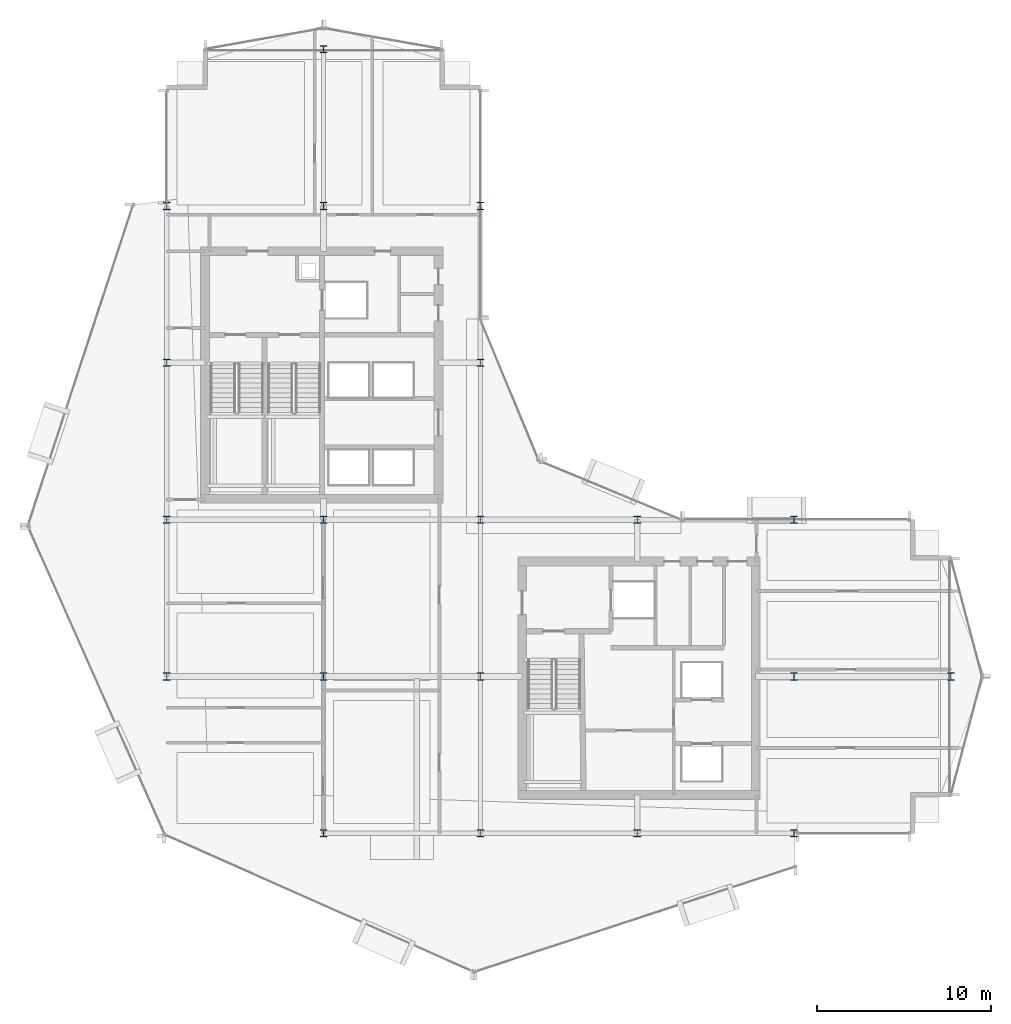
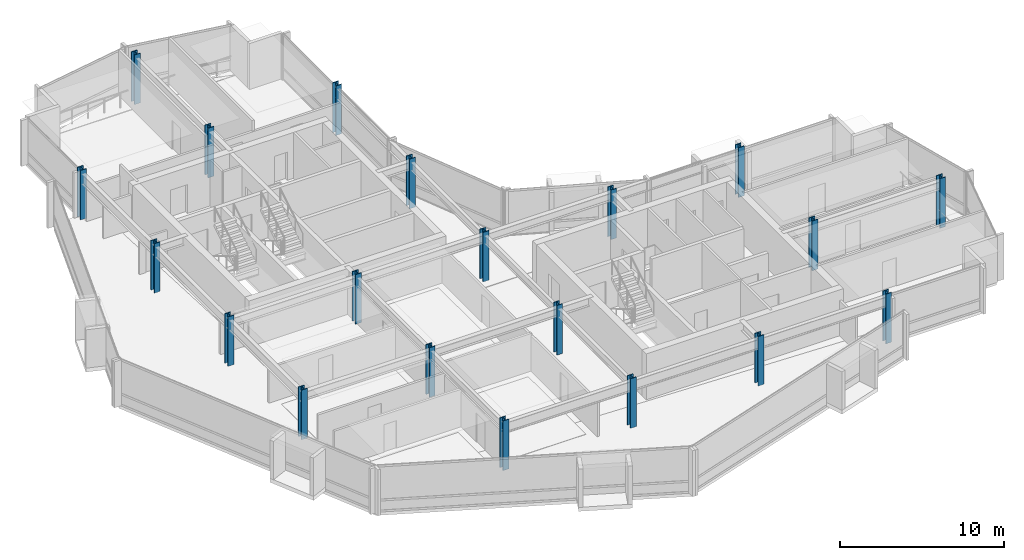
# One storey, part 1 of 29: 20 columns.
"""IFC4 building model written with IfcOpenShell, lengths in metres."""

from ifc_helpers import new_model, si_unit, direction, frame, origin, origin_2d, place, context, subcontext, project, spatial, i_section, extrude, material, material_profile, profile_set, type_object, element, save


model = new_model("IFC4")

# Units and contexts
model_context = context("Model", 3, precision=1e-05, world=origin(), true_north=direction((0.0, 1.0)))
body_context = subcontext(model_context, "Body", "Model", "MODEL_VIEW")
ifc_project = project(units=[si_unit("LENGTHUNIT", "METRE"), si_unit("AREAUNIT", "SQUARE_METRE"), si_unit("VOLUMEUNIT", "CUBIC_METRE"), si_unit("PLANEANGLEUNIT", "RADIAN"), si_unit("MASSUNIT", "GRAM", prefix="KILO")], contexts=[model_context])

# Site, building, storey
site_placement = place(None, origin())
site = spatial("IfcSite", under=ifc_project, at=site_placement, CompositionType="ELEMENT")
building_placement = place(site_placement, origin())
building = spatial("IfcBuilding", under=site, at=building_placement, Name="Solvaryn Broadcast Tower", CompositionType="ELEMENT")
storey_placement = place(building_placement, frame((0.0, 0.0, 139.60009765625)))
storey = spatial("IfcBuildingStorey", under=building, at=storey_placement, Name="L34", CompositionType="ELEMENT", Elevation=139.60009765625)

# Columns
ifc_material_1 = material(Name="Steel ASTM A913 Grade 65", Category="steel")
ifc_material_profile_1 = material_profile(ifc_material_1, i_section(OverallWidth=0.412109375, OverallDepth=0.43505859375, WebThickness=0.035888671875, FlangeThickness=0.057373046875, FilletRadius=0.014892578125, at=origin_2d()))
ifc_profile_set_1 = profile_set([ifc_material_profile_1], Name="Steel ASTM A913 Grade 65")
column_type_1 = type_object("IfcColumnType", Name="COL-C06E-W14X311", PredefinedType="COLUMN", material=ifc_profile_set_1)
for number, where, z_axis, x_axis, name in (
    (1, (9.0, 18.0, 0.0), (0.0, 0.0, 1.0), (1.0, 0.0, 0.0), "L34 Column (9.0, 18.0)"),
    (2, (9.0, 27.0, 0.0), (0.0, 0.0, 1.0), (1.0, 0.0, 0.0), "L34 Column (9.0, 27.0)"),
    (3, (9.0, 36.0, 0.0), (0.0, 0.0, 1.0), (1.0, 0.0, 0.0), "L34 Column (9.0, 36.0)"),
    (4, (9.0, 45.0, 0.0), (0.0, 0.0, 1.0), (1.0, 0.0, 0.0), "L34 Column (9.0, 45.0)"),
    (5, (18.0, 9.0, 0.0), (0.0, 0.0, 1.0), (1.0, 0.0, 0.0), "L34 Column (18.0, 9.0)"),
    (6, (18.0, 54.0, 0.0), (0.0, 0.0, 1.0), (1.0, 0.0, 0.0), "L34 Column (18.0, 54.0)"),
    (7, (27.0, 9.0, 0.0), (0.0, 0.0, 1.0), (1.0, 0.0, 0.0), "L34 Column (27.0, 9.0)"),
    (8, (27.0, 36.0, 0.0), (0.0, 0.0, 1.0), (1.0, 0.0, 0.0), "L34 Column (27.0, 36.0)"),
    (9, (27.0, 45.0, 0.0), (0.0, 0.0, 1.0), (1.0, 0.0, 0.0), "L34 Column (27.0, 45.0)"),
    (10, (36.0, 9.0, 0.0), (0.0, 0.0, 1.0), (1.0, 0.0, 0.0), "L34 Column (36.0, 9.0)"),
    (11, (36.0, 27.0, 0.0), (0.0, 0.0, 1.0), (1.0, 0.0, 0.0), "L34 Column (36.0, 27.0)"),
    (12, (45.0, 9.0, 0.0), (0.0, 0.0, 1.0), (1.0, 0.0, 0.0), "L34 Column (45.0, 9.0)"),
    (13, (45.0, 27.0, 0.0), (0.0, 0.0, 1.0), (1.0, 0.0, 0.0), "L34 Column (45.0, 27.0)"),
    (14, (54.0, 18.0, 0.0), (0.0, 0.0, 1.0), (1.0, 0.0, 0.0), "L34 Column (54.0, 18.0)"),
):
    element("IfcColumn", number, at=place(storey_placement, frame(where, z_axis=z_axis, x_axis=x_axis)), inside=storey, type_object=column_type_1, Name=name, PredefinedType="COLUMN", context=body_context, shape_type="SweptSolid", body=[
        extrude(i_section(OverallWidth=0.412109375, OverallDepth=0.43505859375, WebThickness=0.035888671875, FlangeThickness=0.057373046875, FilletRadius=0.014892578125, at=origin_2d()), origin(), (0.0, 0.0, 1.0), 3.699951171875),
    ])
ifc_material_2 = material(Name="Steel ASTM A913 Grade 65", Category="steel")
ifc_material_profile_2 = material_profile(ifc_material_2, i_section(OverallWidth=0.412109375, OverallDepth=0.43505859375, WebThickness=0.035888671875, FlangeThickness=0.057373046875, FilletRadius=0.014892578125, at=origin_2d()))
ifc_profile_set_2 = profile_set([ifc_material_profile_2], Name="Steel ASTM A913 Grade 65")
column_type_2 = type_object("IfcColumnType", Name="COL-C06I-W14X311", PredefinedType="COLUMN", material=ifc_profile_set_2)
for number, where, z_axis, x_axis, name in (
    (15, (18.0, 18.0, 0.0), (0.0, 0.0, 1.0), (1.0, 0.0, 0.0), "L34 Column (18.0, 18.0)"),
    (16, (18.0, 27.0, 0.0), (0.0, 0.0, 1.0), (1.0, 0.0, 0.0), "L34 Column (18.0, 27.0)"),
    (17, (18.0, 45.0, 0.0), (0.0, 0.0, 1.0), (1.0, 0.0, 0.0), "L34 Column (18.0, 45.0)"),
    (18, (27.0, 18.0, 0.0), (0.0, 0.0, 1.0), (1.0, 0.0, 0.0), "L34 Column (27.0, 18.0)"),
    (19, (27.0, 27.0, 0.0), (0.0, 0.0, 1.0), (1.0, 0.0, 0.0), "L34 Column (27.0, 27.0)"),
    (20, (45.0, 18.0, 0.0), (0.0, 0.0, 1.0), (1.0, 0.0, 0.0), "L34 Column (45.0, 18.0)"),
):
    element("IfcColumn", number, at=place(storey_placement, frame(where, z_axis=z_axis, x_axis=x_axis)), inside=storey, type_object=column_type_2, Name=name, PredefinedType="COLUMN", context=body_context, shape_type="SweptSolid", body=[
        extrude(i_section(OverallWidth=0.412109375, OverallDepth=0.43505859375, WebThickness=0.035888671875, FlangeThickness=0.057373046875, FilletRadius=0.014892578125, at=origin_2d()), origin(), (0.0, 0.0, 1.0), 3.699951171875),
    ])

save(model, "model.ifc")
